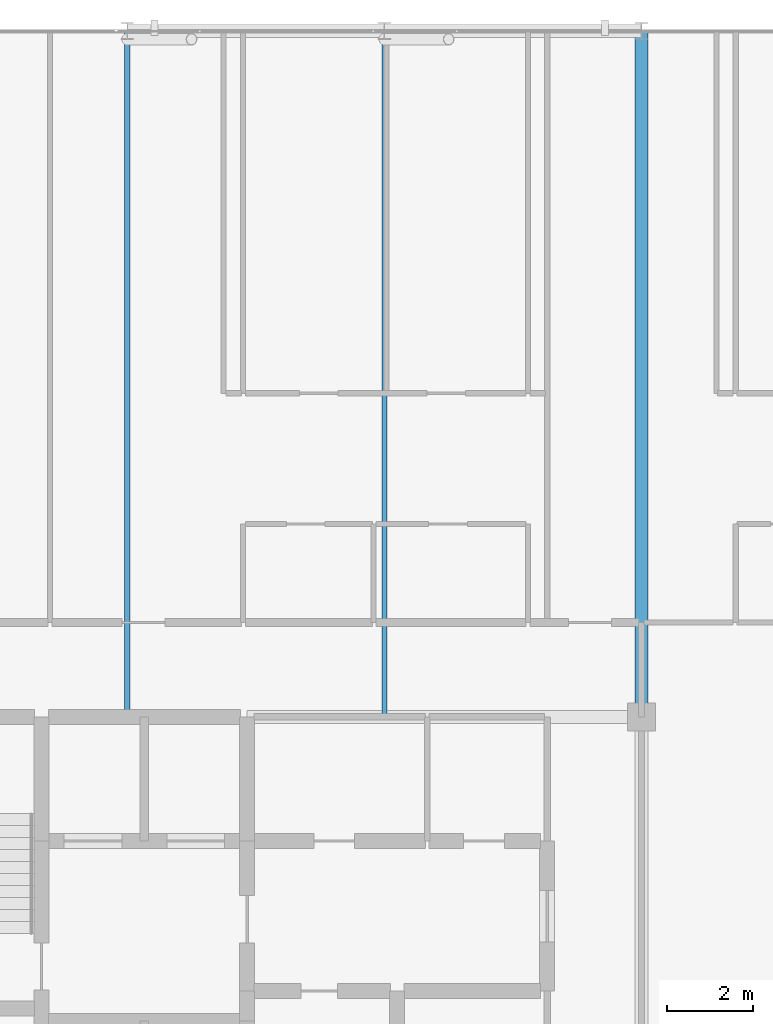
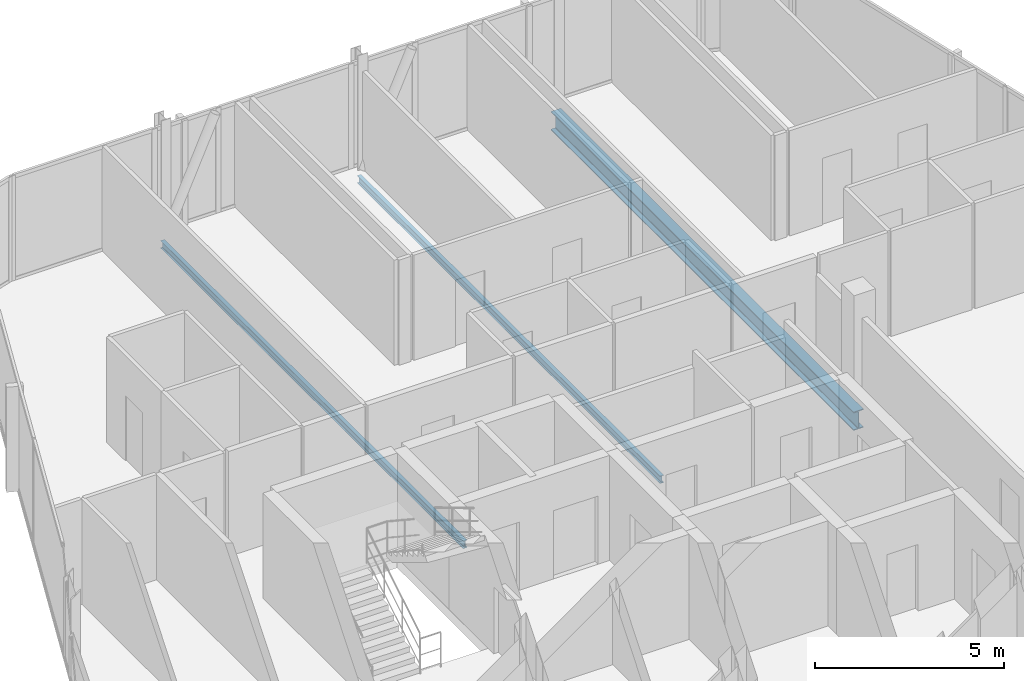
# One storey, part 16 of 27: 3 beams.
"""IFC4 building model written with IfcOpenShell, lengths in metres."""

from ifc_helpers import new_model, si_unit, direction, frame, origin, origin_2d, place, context, subcontext, project, spatial, i_section, extrude, material, material_profile, profile_set, type_object, element, save


model = new_model("IFC4")

# Units and contexts
model_context = context("Model", 3, precision=1e-05, world=origin(), true_north=direction((0.0, 1.0)))
body_context = subcontext(model_context, "Body", "Model", "MODEL_VIEW")
ifc_project = project(units=[si_unit("LENGTHUNIT", "METRE"), si_unit("AREAUNIT", "SQUARE_METRE"), si_unit("VOLUMEUNIT", "CUBIC_METRE"), si_unit("PLANEANGLEUNIT", "RADIAN"), si_unit("MASSUNIT", "GRAM", prefix="KILO")], contexts=[model_context])

# Site, building, storey
site_placement = place(None, origin())
site = spatial("IfcSite", under=ifc_project, at=site_placement, CompositionType="ELEMENT")
building_placement = place(site_placement, origin())
building = spatial("IfcBuilding", under=site, at=building_placement, Name="Keshet Zoharim Tower", CompositionType="ELEMENT")
storey_placement = place(building_placement, frame((0.0, 0.0, 288.0)))
storey = spatial("IfcBuildingStorey", under=building, at=storey_placement, Name="L72", CompositionType="ELEMENT", Elevation=288.0)

# Beams
ifc_material = material(Name="Steel S355", Category="steel")
ifc_material_profile_1 = material_profile(ifc_material, i_section(OverallWidth=0.1201171875, OverallDepth=0.239990234375, WebThickness=0.006103515625, FlangeThickness=0.009765625, FilletRadius=0.014892578125, at=origin_2d()), Name="IPE240")
ifc_profile_set_1 = profile_set([ifc_material_profile_1], Name="Steel S355")
beam_type_1 = type_object("IfcBeamType", Name="BM-JST-IP240", PredefinedType="JOIST", material=ifc_profile_set_1)
for number, where, z_axis, x_axis, name in (
    (1, (21.0, 37.89990234375, -0.429931640625), (0.0, 1.0, 0.0), (-1.0, 0.0, 0.0), "L72 Secondary Floor Joist J-001"),
    (2, (27.0, 37.89990234375, -0.429931640625), (0.0, 1.0, 0.0), (-1.0, 0.0, 0.0), "L72 Secondary Floor Joist J-002"),
):
    element("IfcBeam", number, at=place(storey_placement, frame(where, z_axis=z_axis, x_axis=x_axis)), inside=storey, type_object=beam_type_1, Name=name, PredefinedType="JOIST", context=body_context, shape_type="SweptSolid", body=[
        extrude(i_section(OverallWidth=0.1201171875, OverallDepth=0.239990234375, WebThickness=0.006103515625, FlangeThickness=0.009765625, FilletRadius=0.014892578125, at=origin_2d()), origin(), (0.0, 0.0, 1.0), 16.0),
    ])
ifc_material_profile_2 = material_profile(ifc_material, i_section(OverallWidth=0.300048828125, OverallDepth=0.60009765625, WebThickness=0.015380859375, FlangeThickness=0.030029296875, FilletRadius=0.027099609375, at=origin_2d()), Name="HEB600")
ifc_profile_set_2 = profile_set([ifc_material_profile_2], Name="Steel S355")
beam_type_2 = type_object("IfcBeamType", Name="BM-LNG-HB600", PredefinedType="BEAM", material=ifc_profile_set_2)
beam_placement = place(storey_placement, frame((33.0, 37.89990234375, -0.610107421875), z_axis=(0.0, 1.0, 0.0), x_axis=(-1.0, 0.0, 0.0)))
element("IfcBeam", 3, at=beam_placement, inside=storey, type_object=beam_type_2, Name="L72 Primary Girder Y-009", PredefinedType="BEAM", context=body_context, shape_type="SweptSolid", body=[
    extrude(i_section(OverallWidth=0.300048828125, OverallDepth=0.60009765625, WebThickness=0.015380859375, FlangeThickness=0.030029296875, FilletRadius=0.027099609375, at=origin_2d()), origin(), (0.0, 0.0, 1.0), 16.0),
])

save(model, "model.ifc")
